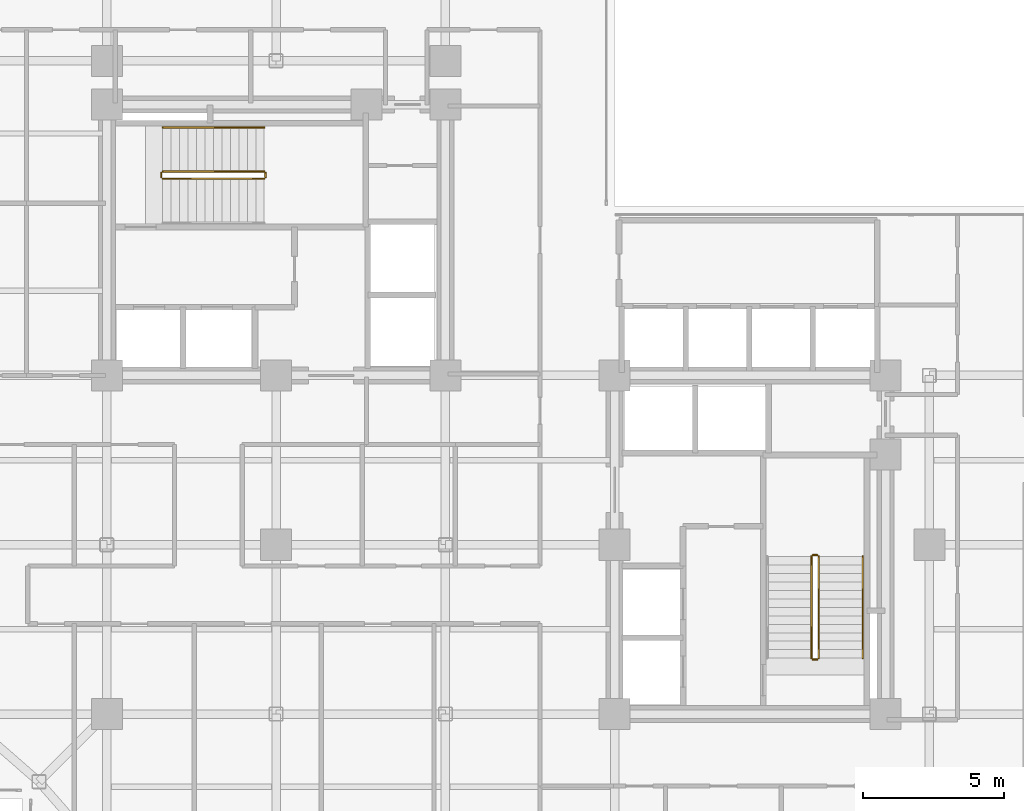
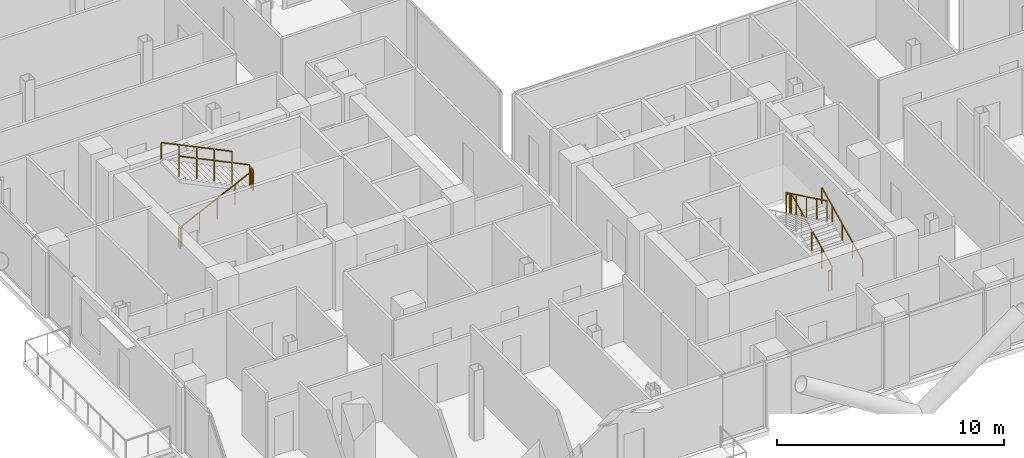
# One storey, part 24 of 24: 10 railings.
"""IFC4 building model written with IfcOpenShell, lengths in metres."""

from ifc_helpers import new_model, si_unit, direction, frame, origin, origin_2d, place, context, subcontext, project, spatial, rectangle, extrude, material, type_object, element, save


model = new_model("IFC4")

# Units and contexts
model_context = context("Model", 3, precision=1e-05, world=origin(), true_north=direction((0.0, 1.0)))
body_context = subcontext(model_context, "Body", "Model", "MODEL_VIEW")
ifc_project = project(units=[si_unit("LENGTHUNIT", "METRE"), si_unit("AREAUNIT", "SQUARE_METRE"), si_unit("VOLUMEUNIT", "CUBIC_METRE"), si_unit("PLANEANGLEUNIT", "RADIAN"), si_unit("MASSUNIT", "GRAM", prefix="KILO"), si_unit("THERMODYNAMICTEMPERATUREUNIT", "KELVIN"), si_unit("POWERUNIT", "WATT")], contexts=[model_context])

# Site, building, storey
site_placement = place(None, origin())
site = spatial("IfcSite", under=ifc_project, at=site_placement, CompositionType="ELEMENT")
building_placement = place(site_placement, origin())
building = spatial("IfcBuilding", under=site, at=building_placement, Name="Svarakhadi Broadcast Tower", CompositionType="ELEMENT")
storey_placement = place(building_placement, frame((0.0, 0.0, 156.89990234375)))
storey = spatial("IfcBuildingStorey", under=building, at=storey_placement, Name="L38", CompositionType="ELEMENT", Elevation=156.89990234375)

# Railings
ifc_material = material(Name="Anodised Bronze Aluminium AA 6063-T6", Category="aluminium")
railing_type_1 = type_object("IfcRailingType", Name="Guard_Stair_GR01", PredefinedType="GUARDRAIL", material=ifc_material)
railing_1_placement = place(storey_placement, frame((7.97998046875, 24.969970703125, 0.144287109375)))
element("IfcRailing", 1, at=railing_1_placement, inside=storey, type_object=railing_type_1, Name="L38 ST-01 stair guard 1", PredefinedType="GUARDRAIL", context=body_context, shape_type="SweptSolid", body=[
    extrude(rectangle(XDim=0.048095703125, YDim=0.048095703125, at=origin_2d()), frame((0.0, 0.0, 1.09619140625), z_axis=(0.901262522062, 0.0, 0.433273431364), x_axis=(0.0, 1.0, 0.0)), (0.0, 0.0, 1.0), 3.994384765625),
    extrude(rectangle(XDim=0.0419921875, YDim=0.0419921875, at=origin_2d()), origin(), (0.0, 0.0, 1.0), 1.072021484375),
    extrude(rectangle(XDim=0.0419921875, YDim=0.0419921875, at=origin_2d()), frame((0.89990234375, 0.0, 0.4326171875)), (0.0, 0.0, 1.0), 1.072021484375),
    extrude(rectangle(XDim=0.0419921875, YDim=0.0419921875, at=origin_2d()), frame((1.800048828125, 0.0, 0.865234375)), (0.0, 0.0, 1.0), 1.072021484375),
    extrude(rectangle(XDim=0.0419921875, YDim=0.0419921875, at=origin_2d()), frame((2.7001953125, 0.0, 1.298095703125)), (0.0, 0.0, 1.0), 1.072021484375),
    extrude(rectangle(XDim=0.0419921875, YDim=0.0419921875, at=origin_2d()), frame((3.60009765625, 0.0, 1.730712890625)), (0.0, 0.0, 1.0), 1.072021484375),
])
railing_2_placement = place(storey_placement, frame((11.6298828125, 25.02001953125, 1.875)))
element("IfcRailing", 2, at=railing_2_placement, inside=storey, type_object=railing_type_1, Name="L38 ST-01 stair guard 2", PredefinedType="GUARDRAIL", context=body_context, shape_type="SweptSolid", body=[
    extrude(rectangle(XDim=0.048095703125, YDim=0.048095703125, at=origin_2d()), frame((0.0, 0.0, 1.09619140625), z_axis=(0.0, 1.0, 0.0), x_axis=(-1.0, 0.0, 0.0)), (0.0, 0.0, 1.0), 0.159912109375),
    extrude(rectangle(XDim=0.0419921875, YDim=0.0419921875, at=origin_2d()), origin(), (0.0, 0.0, 1.0), 1.072021484375),
    extrude(rectangle(XDim=0.0419921875, YDim=0.0419921875, at=origin_2d()), frame((0.0, 0.159912109375, 0.0)), (0.0, 0.0, 1.0), 1.072021484375),
])
railing_3_placement = place(storey_placement, frame((11.580078125, 25.22998046875, 2.019287109375)))
element("IfcRailing", 3, at=railing_3_placement, inside=storey, type_object=railing_type_1, Name="L38 ST-01 stair guard 3", PredefinedType="GUARDRAIL", context=body_context, shape_type="SweptSolid", body=[
    extrude(rectangle(XDim=0.048095703125, YDim=0.048095703125, at=origin_2d()), frame((0.0, 0.0, 1.09619140625), z_axis=(-0.901262522062, 0.0, 0.433273431364), x_axis=(0.0, -1.0, 0.0)), (0.0, 0.0, 1.0), 3.994384765625),
    extrude(rectangle(XDim=0.0419921875, YDim=0.0419921875, at=origin_2d()), origin(), (0.0, 0.0, 1.0), 1.072021484375),
    extrude(rectangle(XDim=0.0419921875, YDim=0.0419921875, at=origin_2d()), frame((-0.89990234375, 0.0, 0.4326171875)), (0.0, 0.0, 1.0), 1.072021484375),
    extrude(rectangle(XDim=0.0419921875, YDim=0.0419921875, at=origin_2d()), frame((-1.800048828125, 0.0, 0.865234375)), (0.0, 0.0, 1.0), 1.072021484375),
    extrude(rectangle(XDim=0.0419921875, YDim=0.0419921875, at=origin_2d()), frame((-2.7001953125, 0.0, 1.298095703125)), (0.0, 0.0, 1.0), 1.072021484375),
    extrude(rectangle(XDim=0.0419921875, YDim=0.0419921875, at=origin_2d()), frame((-3.60009765625, 0.0, 1.730712890625)), (0.0, 0.0, 1.0), 1.072021484375),
])
railing_4_placement = place(storey_placement, frame((7.929931640625, 25.02001953125, 0.0)))
element("IfcRailing", 4, at=railing_4_placement, inside=storey, type_object=railing_type_1, Name="L38 ST-01 stair guard 4", PredefinedType="GUARDRAIL", context=body_context, shape_type="SweptSolid", body=[
    extrude(rectangle(XDim=0.048095703125, YDim=0.048095703125, at=origin_2d()), frame((0.0, 0.0, 1.09619140625), z_axis=(0.0, 1.0, 0.0), x_axis=(-1.0, 0.0, 0.0)), (0.0, 0.0, 1.0), 0.159912109375),
    extrude(rectangle(XDim=0.0419921875, YDim=0.0419921875, at=origin_2d()), origin(), (0.0, 0.0, 1.0), 1.072021484375),
    extrude(rectangle(XDim=0.0419921875, YDim=0.0419921875, at=origin_2d()), frame((0.0, 0.159912109375, 0.0)), (0.0, 0.0, 1.0), 1.072021484375),
])
railing_5_placement = place(storey_placement, frame((31.22998046875, 7.97998046875, 0.144287109375)))
element("IfcRailing", 5, at=railing_5_placement, inside=storey, type_object=railing_type_1, Name="L38 ST-02 stair guard 1", PredefinedType="GUARDRAIL", context=body_context, shape_type="SweptSolid", body=[
    extrude(rectangle(XDim=0.048095703125, YDim=0.048095703125, at=origin_2d()), frame((0.0, 0.0, 1.09619140625), z_axis=(0.0, 0.901262522062, 0.433273431364), x_axis=(-1.0, 0.0, 0.0)), (0.0, 0.0, 1.0), 3.994384765625),
    extrude(rectangle(XDim=0.0419921875, YDim=0.0419921875, at=origin_2d()), origin(), (0.0, 0.0, 1.0), 1.072021484375),
    extrude(rectangle(XDim=0.0419921875, YDim=0.0419921875, at=origin_2d()), frame((0.0, 0.89990234375, 0.4326171875)), (0.0, 0.0, 1.0), 1.072021484375),
    extrude(rectangle(XDim=0.0419921875, YDim=0.0419921875, at=origin_2d()), frame((0.0, 1.800048828125, 0.865234375)), (0.0, 0.0, 1.0), 1.072021484375),
    extrude(rectangle(XDim=0.0419921875, YDim=0.0419921875, at=origin_2d()), frame((0.0, 2.7001953125, 1.298095703125)), (0.0, 0.0, 1.0), 1.072021484375),
    extrude(rectangle(XDim=0.0419921875, YDim=0.0419921875, at=origin_2d()), frame((0.0, 3.60009765625, 1.730712890625)), (0.0, 0.0, 1.0), 1.072021484375),
])
railing_6_placement = place(storey_placement, frame((31.179931640625, 11.6298828125, 1.875)))
element("IfcRailing", 6, at=railing_6_placement, inside=storey, type_object=railing_type_1, Name="L38 ST-02 stair guard 2", PredefinedType="GUARDRAIL", context=body_context, shape_type="SweptSolid", body=[
    extrude(rectangle(XDim=0.048095703125, YDim=0.048095703125, at=origin_2d()), frame((0.0, 0.0, 1.09619140625), z_axis=(-1.0, 0.0, 0.0), x_axis=(0.0, -1.0, 0.0)), (0.0, 0.0, 1.0), 0.159912109375),
    extrude(rectangle(XDim=0.0419921875, YDim=0.0419921875, at=origin_2d()), origin(), (0.0, 0.0, 1.0), 1.072021484375),
    extrude(rectangle(XDim=0.0419921875, YDim=0.0419921875, at=origin_2d()), frame((-0.159912109375, 0.0, 0.0)), (0.0, 0.0, 1.0), 1.072021484375),
])
railing_7_placement = place(storey_placement, frame((30.969970703125, 11.580078125, 2.019287109375)))
element("IfcRailing", 7, at=railing_7_placement, inside=storey, type_object=railing_type_1, Name="L38 ST-02 stair guard 3", PredefinedType="GUARDRAIL", context=body_context, shape_type="SweptSolid", body=[
    extrude(rectangle(XDim=0.048095703125, YDim=0.048095703125, at=origin_2d()), frame((0.0, 0.0, 1.09619140625), z_axis=(0.0, -0.901262522062, 0.433273431364), x_axis=(1.0, 0.0, 0.0)), (0.0, 0.0, 1.0), 3.994384765625),
    extrude(rectangle(XDim=0.0419921875, YDim=0.0419921875, at=origin_2d()), origin(), (0.0, 0.0, 1.0), 1.072021484375),
    extrude(rectangle(XDim=0.0419921875, YDim=0.0419921875, at=origin_2d()), frame((0.0, -0.89990234375, 0.4326171875)), (0.0, 0.0, 1.0), 1.072021484375),
    extrude(rectangle(XDim=0.0419921875, YDim=0.0419921875, at=origin_2d()), frame((0.0, -1.800048828125, 0.865234375)), (0.0, 0.0, 1.0), 1.072021484375),
    extrude(rectangle(XDim=0.0419921875, YDim=0.0419921875, at=origin_2d()), frame((0.0, -2.7001953125, 1.298095703125)), (0.0, 0.0, 1.0), 1.072021484375),
    extrude(rectangle(XDim=0.0419921875, YDim=0.0419921875, at=origin_2d()), frame((0.0, -3.60009765625, 1.730712890625)), (0.0, 0.0, 1.0), 1.072021484375),
])
railing_8_placement = place(storey_placement, frame((31.179931640625, 7.929931640625, 0.0)))
element("IfcRailing", 8, at=railing_8_placement, inside=storey, type_object=railing_type_1, Name="L38 ST-02 stair guard 4", PredefinedType="GUARDRAIL", context=body_context, shape_type="SweptSolid", body=[
    extrude(rectangle(XDim=0.048095703125, YDim=0.048095703125, at=origin_2d()), frame((0.0, 0.0, 1.09619140625), z_axis=(-1.0, 0.0, 0.0), x_axis=(0.0, -1.0, 0.0)), (0.0, 0.0, 1.0), 0.159912109375),
    extrude(rectangle(XDim=0.0419921875, YDim=0.0419921875, at=origin_2d()), origin(), (0.0, 0.0, 1.0), 1.072021484375),
    extrude(rectangle(XDim=0.0419921875, YDim=0.0419921875, at=origin_2d()), frame((-0.159912109375, 0.0, 0.0)), (0.0, 0.0, 1.0), 1.072021484375),
])
railing_type_2 = type_object("IfcRailingType", Name="Handrail_Stair_HR01", PredefinedType="HANDRAIL", material=ifc_material)
railing_9_placement = place(storey_placement, frame((11.580078125, 26.7900390625, 2.019287109375)))
element("IfcRailing", 9, at=railing_9_placement, inside=storey, type_object=railing_type_2, Name="L38 ST-01 stair handrail 2", PredefinedType="HANDRAIL", context=body_context, shape_type="SweptSolid", body=[
    extrude(rectangle(XDim=0.048095703125, YDim=0.048095703125, at=origin_2d()), frame((0.0, 0.0, 0.8759765625), z_axis=(-0.901262522062, 0.0, 0.433273431364), x_axis=(0.0, -1.0, 0.0)), (0.0, 0.0, 1.0), 3.994384765625),
    extrude(rectangle(XDim=0.0419921875, YDim=0.0419921875, at=origin_2d()), origin(), (0.0, 0.0, 1.0), 0.851806640625),
    extrude(rectangle(XDim=0.0419921875, YDim=0.0419921875, at=origin_2d()), frame((-0.89990234375, 0.0, 0.4326171875)), (0.0, 0.0, 1.0), 0.851806640625),
    extrude(rectangle(XDim=0.0419921875, YDim=0.0419921875, at=origin_2d()), frame((-1.800048828125, 0.0, 0.865234375)), (0.0, 0.0, 1.0), 0.851806640625),
    extrude(rectangle(XDim=0.0419921875, YDim=0.0419921875, at=origin_2d()), frame((-2.7001953125, 0.0, 1.298095703125)), (0.0, 0.0, 1.0), 0.851806640625),
    extrude(rectangle(XDim=0.0419921875, YDim=0.0419921875, at=origin_2d()), frame((-3.60009765625, 0.0, 1.730712890625)), (0.0, 0.0, 1.0), 0.851806640625),
])
railing_10_placement = place(storey_placement, frame((32.7900390625, 7.97998046875, 0.144287109375)))
element("IfcRailing", 10, at=railing_10_placement, inside=storey, type_object=railing_type_2, Name="L38 ST-02 stair handrail 1", PredefinedType="HANDRAIL", context=body_context, shape_type="SweptSolid", body=[
    extrude(rectangle(XDim=0.048095703125, YDim=0.048095703125, at=origin_2d()), frame((0.0, 0.0, 0.8759765625), z_axis=(0.0, 0.901262522062, 0.433273431364), x_axis=(-1.0, 0.0, 0.0)), (0.0, 0.0, 1.0), 3.994384765625),
    extrude(rectangle(XDim=0.0419921875, YDim=0.0419921875, at=origin_2d()), origin(), (0.0, 0.0, 1.0), 0.851806640625),
    extrude(rectangle(XDim=0.0419921875, YDim=0.0419921875, at=origin_2d()), frame((0.0, 0.89990234375, 0.4326171875)), (0.0, 0.0, 1.0), 0.851806640625),
    extrude(rectangle(XDim=0.0419921875, YDim=0.0419921875, at=origin_2d()), frame((0.0, 1.800048828125, 0.865234375)), (0.0, 0.0, 1.0), 0.851806640625),
    extrude(rectangle(XDim=0.0419921875, YDim=0.0419921875, at=origin_2d()), frame((0.0, 2.7001953125, 1.298095703125)), (0.0, 0.0, 1.0), 0.851806640625),
    extrude(rectangle(XDim=0.0419921875, YDim=0.0419921875, at=origin_2d()), frame((0.0, 3.60009765625, 1.730712890625)), (0.0, 0.0, 1.0), 0.851806640625),
])

save(model, "model.ifc")
